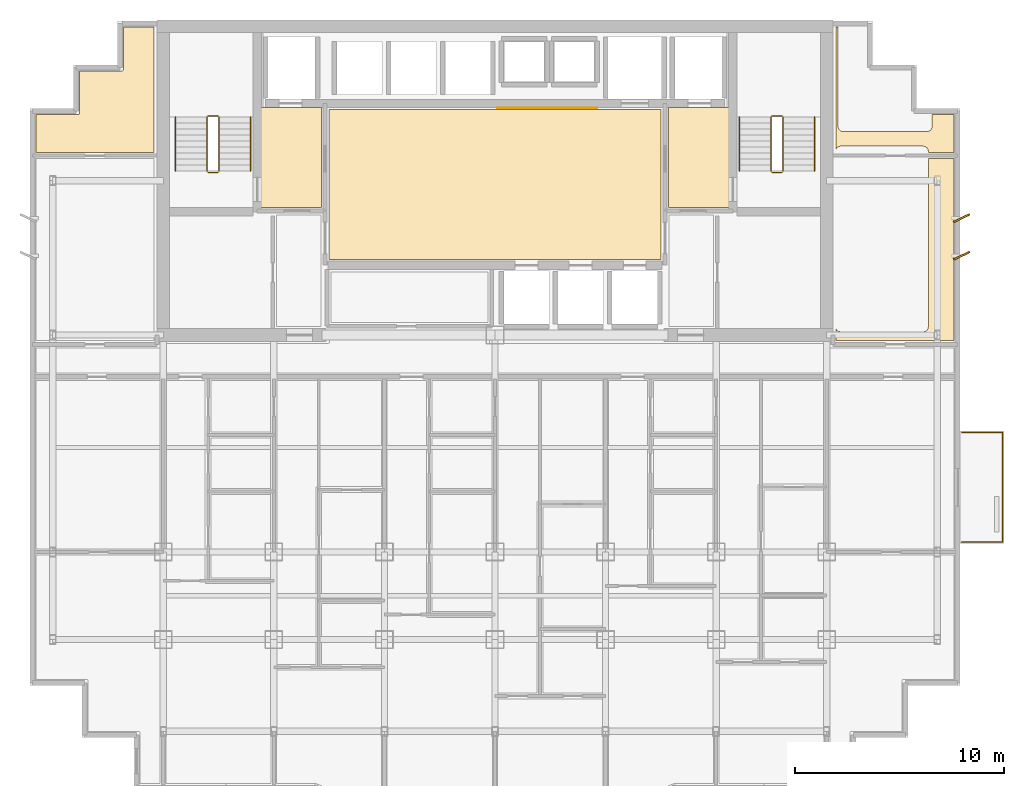
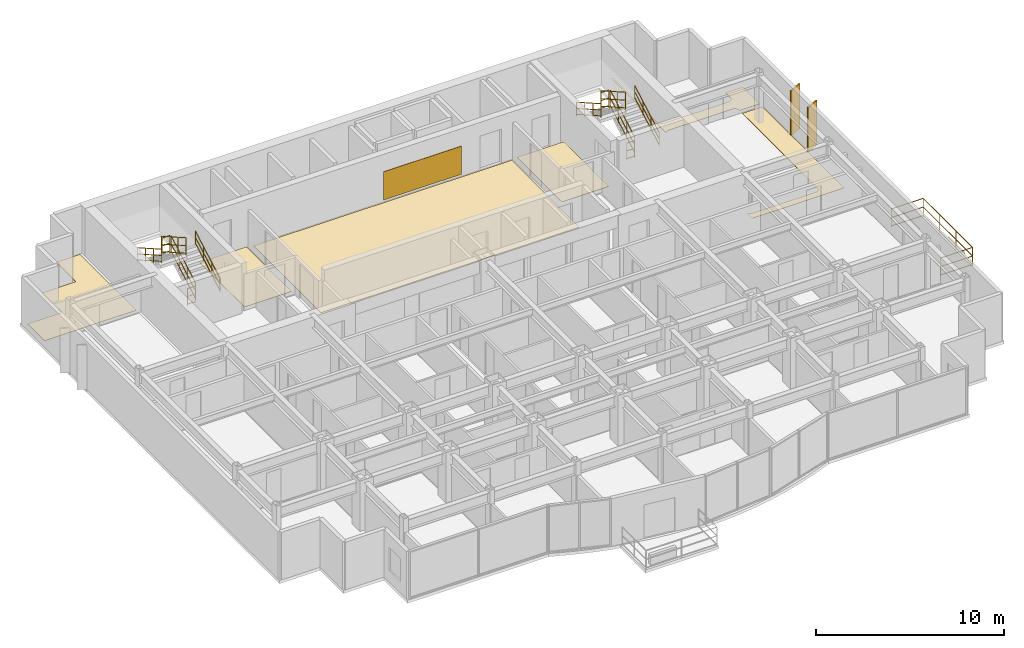
# One storey, part 11 of 11: 13 railings, 7 coverings, 2 shading devices.
"""IFC4 building model written with IfcOpenShell, lengths in metres."""

from ifc_helpers import new_model, si_unit, direction, frame, origin, origin_2d, place, context, subcontext, project, spatial, polyline, rectangle, circle, outline, extrude, source, transform, mapped, material, layer, layer_set, type_object, element, save


model = new_model("IFC4")

# Units and contexts
model_context = context("Model", 3, precision=1e-05, world=origin(), true_north=direction((0.0, 1.0)))
body_context = subcontext(model_context, "Body", "Model", "MODEL_VIEW")
ifc_project = project(units=[si_unit("LENGTHUNIT", "METRE"), si_unit("AREAUNIT", "SQUARE_METRE"), si_unit("VOLUMEUNIT", "CUBIC_METRE"), si_unit("PLANEANGLEUNIT", "RADIAN"), si_unit("MASSUNIT", "GRAM", prefix="KILO")], contexts=[model_context])

# Site, building, storey
site_placement = place(None, origin())
site = spatial("IfcSite", under=ifc_project, at=site_placement, CompositionType="ELEMENT")
building_placement = place(site_placement, origin())
building = spatial("IfcBuilding", under=site, at=building_placement, Name="Qianlan Lanfeng Residences", CompositionType="ELEMENT")
storey_placement = place(building_placement, frame((0.0, 0.0, 165.60009765625)))
storey = spatial("IfcBuildingStorey", under=building, at=storey_placement, Name="L45", CompositionType="ELEMENT", Elevation=165.60009765625)

# Coverings
ifc_material_1 = material(Name="Anodised Bronze Feature Wall Cladding")
ifc_layer_1 = layer(ifc_material_1, 0.02490234375)
ifc_layer_set_1 = layer_set([ifc_layer_1], Name="Anodised Bronze Feature Wall Cladding")
covering_type_1 = type_object("IfcCoveringType", Name="CLD-BRZ-25", PredefinedType="CLADDING", material=ifc_layer_set_1)
covering_1_placement = place(storey_placement, frame((0.0, 0.0, 0.14990234375)))
element("IfcCovering", 1, at=covering_1_placement, inside=storey, type_object=covering_type_1, Name="L45 Lift Lobby Bronze Feature Cladding", PredefinedType="CLADDING", context=body_context, shape_type="SweptSolid", body=[
    extrude(outline(polyline([(26.60009765625, 36.074951171875), (31.39990234375, 36.074951171875), (31.39990234375, 36.10009765625), (26.60009765625, 36.10009765625), (26.60009765625, 36.074951171875)])), origin(), (0.0, 0.0, 1.0), 1.830078125),
])
ifc_material_2 = material(Name="Honed Taitung Granite Stone Flooring", Category="masonry")
ifc_layer_2 = layer(ifc_material_2, 0.030029296875)
ifc_layer_set_2 = layer_set([ifc_layer_2], Name="Honed Taitung Granite Stone Flooring")
covering_type_2 = type_object("IfcCoveringType", Name="FLR-STN-30", PredefinedType="FLOORING", material=ifc_layer_set_2)
covering_2_placement = place(storey_placement, origin())
element("IfcCovering", 2, at=covering_2_placement, inside=storey, type_object=covering_type_2, Name="L45 Firefighting Lift Lobby Floor Finish", PredefinedType="FLOORING", context=body_context, shape_type="SweptSolid", body=[
    extrude(outline(polyline([(15.2900390625, 31.320068359375), (18.179931640625, 31.320068359375), (18.179931640625, 36.110107421875), (15.2900390625, 36.110107421875), (15.2900390625, 31.320068359375)])), origin(), (0.0, 0.0, 1.0), 0.02978515625),
])
covering_3_placement = place(storey_placement, origin())
element("IfcCovering", 3, at=covering_3_placement, inside=storey, type_object=covering_type_2, Name="L45 Firefighting Lift Lobby Floor Finish", PredefinedType="FLOORING", context=body_context, shape_type="SweptSolid", body=[
    extrude(outline(polyline([(34.820068359375, 31.320068359375), (37.7099609375, 31.320068359375), (37.7099609375, 36.110107421875), (34.820068359375, 36.110107421875), (34.820068359375, 31.320068359375)])), origin(), (0.0, 0.0, 1.0), 0.02978515625),
])
covering_4_placement = place(storey_placement, origin())
element("IfcCovering", 4, at=covering_4_placement, inside=storey, type_object=covering_type_2, Name="L45 Lift Lobby Floor Finish", PredefinedType="FLOORING", context=body_context, shape_type="SweptSolid", body=[
    extrude(outline(polyline([(18.550048828125, 28.820068359375), (34.449951171875, 28.820068359375), (34.449951171875, 36.010009765625), (18.550048828125, 36.010009765625), (18.550048828125, 28.820068359375)])), origin(), (0.0, 0.0, 1.0), 0.02978515625),
])
ifc_material_3 = material(Name="Engineered Smoked Oak Timber Flooring", Category="wood")
ifc_layer_3 = layer(ifc_material_3, 0.02197265625)
ifc_layer_set_3 = layer_set([ifc_layer_3], Name="Engineered Smoked Oak Timber Flooring")
covering_type_3 = type_object("IfcCoveringType", Name="FLR-TIM-22", PredefinedType="FLOORING", material=ifc_layer_set_3)
covering_5_placement = place(storey_placement, origin())
element("IfcCovering", 5, at=covering_5_placement, inside=storey, type_object=covering_type_3, Name="L45 Resident Lounge Floor Finish", PredefinedType="FLOORING", context=body_context, shape_type="SweptSolid", body=[
    extrude(outline(polyline([(4.489990234375, 33.949951171875), (10.14990234375, 33.949951171875), (10.14990234375, 39.9599609375), (8.68994140625, 39.9599609375), (8.68994140625, 37.929931640625), (8.68994140625, 37.923095703125), (8.68896484375, 37.916015625), (8.68701171875, 37.909912109375), (8.68505859375, 37.903076171875), (8.681884765625, 37.89697265625), (8.677978515625, 37.89111328125), (8.674072265625, 37.885986328125), (8.6689453125, 37.881103515625), (8.6640625, 37.8759765625), (8.658935546875, 37.8720703125), (8.653076171875, 37.867919921875), (8.64697265625, 37.864990234375), (8.639892578125, 37.863037109375), (8.634033203125, 37.861083984375), (8.626953125, 37.860107421875), (8.6201171875, 37.860107421875), (6.590087890625, 37.860107421875), (6.590087890625, 35.830078125), (6.590087890625, 35.822998046875), (6.589111328125, 35.81591796875), (6.5869140625, 35.81005859375), (6.5849609375, 35.802978515625), (6.58203125, 35.797119140625), (6.577880859375, 35.791015625), (6.573974609375, 35.785888671875), (6.569091796875, 35.781005859375), (6.56396484375, 35.77587890625), (6.55908203125, 35.77197265625), (6.552978515625, 35.76806640625), (6.547119140625, 35.764892578125), (6.5400390625, 35.762939453125), (6.533935546875, 35.760986328125), (6.527099609375, 35.760009765625), (6.52001953125, 35.760009765625), (4.489990234375, 35.760009765625), (4.489990234375, 33.949951171875)])), origin(), (0.0, 0.0, 1.0), 0.02197265625),
])
covering_6_placement = place(storey_placement, origin())
element("IfcCovering", 6, at=covering_6_placement, inside=storey, type_object=covering_type_3, Name="L45 Gallery Salon Floor Finish", PredefinedType="FLOORING", context=body_context, shape_type="SweptSolid", body=[
    extrude(outline(polyline([(48.510009765625, 33.64990234375), (47.27001953125, 33.64990234375), (47.27001953125, 25.60009765625), (47.26904296875, 25.574951171875), (47.264892578125, 25.551025390625), (47.259033203125, 25.527099609375), (47.2509765625, 25.50390625), (47.239990234375, 25.48193359375), (47.22802734375, 25.4609375), (47.212890625, 25.44091796875), (47.197021484375, 25.423095703125), (47.178955078125, 25.406982421875), (47.158935546875, 25.39208984375), (47.137939453125, 25.3798828125), (47.115966796875, 25.368896484375), (47.093017578125, 25.361083984375), (47.069091796875, 25.35498046875), (47.044921875, 25.35107421875), (47.02001953125, 25.35009765625), (43.080078125, 25.35009765625), (43.054931640625, 25.35107421875), (43.031005859375, 25.35498046875), (43.007080078125, 25.361083984375), (42.98388671875, 25.368896484375), (42.9619140625, 25.3798828125), (42.94091796875, 25.39208984375), (42.9208984375, 25.406982421875), (42.903076171875, 25.423095703125), (42.886962890625, 25.44091796875), (42.8720703125, 25.4609375), (42.860107421875, 25.48193359375), (42.85009765625, 25.501953125), (42.85009765625, 24.929931640625), (48.510009765625, 24.929931640625), (48.510009765625, 33.64990234375)])), origin(), (0.0, 0.0, 1.0), 0.02197265625),
])
covering_7_placement = place(storey_placement, origin())
element("IfcCovering", 7, at=covering_7_placement, inside=storey, type_object=covering_type_3, Name="L45 Resident Lounge Floor Finish", PredefinedType="FLOORING", context=body_context, shape_type="SweptSolid", body=[
    extrude(outline(polyline([(42.85009765625, 34.097900390625), (42.860107421875, 34.117919921875), (42.8720703125, 34.138916015625), (42.886962890625, 34.158935546875), (42.903076171875, 34.177001953125), (42.9208984375, 34.193115234375), (42.94091796875, 34.2080078125), (42.9619140625, 34.219970703125), (42.98388671875, 34.23095703125), (43.007080078125, 34.239013671875), (43.031005859375, 34.2451171875), (43.054931640625, 34.2490234375), (43.080078125, 34.25), (47.02001953125, 34.25), (47.044921875, 34.2490234375), (47.069091796875, 34.2451171875), (47.093017578125, 34.239013671875), (47.115966796875, 34.23095703125), (47.137939453125, 34.219970703125), (47.158935546875, 34.2080078125), (47.178955078125, 34.193115234375), (47.197021484375, 34.177001953125), (47.212890625, 34.158935546875), (47.22802734375, 34.138916015625), (47.239990234375, 34.117919921875), (47.2509765625, 34.095947265625), (47.259033203125, 34.072998046875), (47.264892578125, 34.049072265625), (47.26904296875, 34.02490234375), (47.27001953125, 34.0), (47.27001953125, 33.949951171875), (48.510009765625, 33.949951171875), (48.510009765625, 35.760009765625), (47.449951171875, 35.760009765625), (47.449951171875, 35.199951171875), (47.448974609375, 35.175048828125), (47.445068359375, 35.15087890625), (47.43896484375, 35.126953125), (47.430908203125, 35.10400390625), (47.419921875, 35.08203125), (47.407958984375, 35.06103515625), (47.39306640625, 35.041015625), (47.376953125, 35.02294921875), (47.35888671875, 35.007080078125), (47.339111328125, 34.991943359375), (47.318115234375, 34.97998046875), (47.2958984375, 34.968994140625), (47.27294921875, 34.9609375), (47.2490234375, 34.955078125), (47.22509765625, 34.950927734375), (47.199951171875, 34.949951171875), (43.199951171875, 34.949951171875), (43.175048828125, 34.950927734375), (43.15087890625, 34.955078125), (43.126953125, 34.9609375), (43.10400390625, 34.968994140625), (43.08203125, 34.97998046875), (43.06103515625, 34.991943359375), (43.041015625, 35.007080078125), (43.02294921875, 35.02294921875), (43.007080078125, 35.041015625), (42.991943359375, 35.06103515625), (42.97998046875, 35.08203125), (42.968994140625, 35.10400390625), (42.9609375, 35.126953125), (42.955078125, 35.15087890625), (42.950927734375, 35.175048828125), (42.949951171875, 35.199951171875), (42.949951171875, 39.9599609375), (42.85009765625, 39.9599609375), (42.85009765625, 34.097900390625)])), origin(), (0.0, 0.0, 1.0), 0.02197265625),
])

# Railings
ifc_material_4 = material(Name="Anodised Bronze Aluminium and Laminated Glass Guard Balustrade", Category="aluminium")
railing_type_1 = type_object("IfcRailingType", Name="GR-EXT-1220", PredefinedType="BALUSTRADE", material=ifc_material_4)
railing_1_placement = place(storey_placement, frame((48.8701171875, 20.530029296875, 0.0)))
element("IfcRailing", 8, at=railing_1_placement, inside=storey, type_object=railing_type_1, Name="L45 Terrace Safety Guard GR-L45-EB-S", PredefinedType="BALUSTRADE", context=body_context, shape_type="SweptSolid", body=[
    extrude(circle(Radius=0.02490234375, at=origin_2d()), frame((0.0, 0.0, 0.0849609375), z_axis=(1.0, 0.0, 0.0), x_axis=(0.0, 1.0, 0.0)), (0.0, 0.0, 1.0), 1.9599609375),
    extrude(circle(Radius=0.02490234375, at=origin_2d()), frame((0.0, 0.0, 0.63427734375), z_axis=(1.0, 0.0, 0.0), x_axis=(0.0, 1.0, 0.0)), (0.0, 0.0, 1.0), 1.9599609375),
    extrude(circle(Radius=0.02490234375, at=origin_2d()), frame((0.0, 0.0, 1.19482421875), z_axis=(1.0, 0.0, 0.0), x_axis=(0.0, 1.0, 0.0)), (0.0, 0.0, 1.0), 1.9599609375),
    extrude(circle(Radius=0.02490234375, at=origin_2d()), frame((1.9599609375, 0.0, 0.0849609375), z_axis=(0.0, -1.0, 0.0), x_axis=(1.0, 0.0, 0.0)), (0.0, 0.0, 1.0), 5.260009765625),
    extrude(circle(Radius=0.02490234375, at=origin_2d()), frame((1.9599609375, 0.0, 0.63427734375), z_axis=(0.0, -1.0, 0.0), x_axis=(1.0, 0.0, 0.0)), (0.0, 0.0, 1.0), 5.260009765625),
    extrude(circle(Radius=0.02490234375, at=origin_2d()), frame((1.9599609375, 0.0, 1.19482421875), z_axis=(0.0, -1.0, 0.0), x_axis=(1.0, 0.0, 0.0)), (0.0, 0.0, 1.0), 5.260009765625),
    extrude(circle(Radius=0.02490234375, at=origin_2d()), frame((1.9599609375, -5.260009765625, 0.0849609375), z_axis=(-1.0, 0.0, 0.0), x_axis=(0.0, -1.0, 0.0)), (0.0, 0.0, 1.0), 1.9599609375),
    extrude(circle(Radius=0.02490234375, at=origin_2d()), frame((1.9599609375, -5.260009765625, 0.63427734375), z_axis=(-1.0, 0.0, 0.0), x_axis=(0.0, -1.0, 0.0)), (0.0, 0.0, 1.0), 1.9599609375),
    extrude(circle(Radius=0.02490234375, at=origin_2d()), frame((1.9599609375, -5.260009765625, 1.19482421875), z_axis=(-1.0, 0.0, 0.0), x_axis=(0.0, -1.0, 0.0)), (0.0, 0.0, 1.0), 1.9599609375),
    extrude(circle(Radius=0.02099609375, at=origin_2d()), origin(), (0.0, 0.0, 1.0), 1.169921875),
    extrude(circle(Radius=0.02099609375, at=origin_2d()), frame((1.9599609375, 0.0, 0.0)), (0.0, 0.0, 1.0), 1.169921875),
    extrude(circle(Radius=0.02099609375, at=origin_2d()), frame((1.9599609375, -1.75341796875, 0.0)), (0.0, 0.0, 1.0), 1.169921875),
    extrude(circle(Radius=0.02099609375, at=origin_2d()), frame((1.9599609375, -3.506591796875, 0.0)), (0.0, 0.0, 1.0), 1.169921875),
    extrude(circle(Radius=0.02099609375, at=origin_2d()), frame((1.9599609375, -5.260009765625, 0.0)), (0.0, 0.0, 1.0), 1.169921875),
    extrude(circle(Radius=0.02099609375, at=origin_2d()), frame((0.0, -5.260009765625, 0.0)), (0.0, 0.0, 1.0), 1.169921875),
])
ifc_material_5 = material(Name="Painted Galvanised Steel Guardrail", Category="steel")
railing_type_2 = type_object("IfcRailingType", Name="GR-ST-1120", PredefinedType="GUARDRAIL", material=ifc_material_5)
railing_2_placement = place(storey_placement, frame((13.27001953125, 33.050048828125, 0.164794921875)))
element("IfcRailing", 9, at=railing_2_placement, inside=storey, type_object=railing_type_2, Name="L45 ST-1 stair guard 1", PredefinedType="GUARDRAIL", context=body_context, shape_type="SweptSolid", body=[
    extrude(circle(Radius=0.02392578125, at=origin_2d()), frame((0.0, 0.0, 0.083984375), z_axis=(0.0, 0.869137319866, 0.494570843475), x_axis=(-1.0, 0.0, 0.0)), (0.0, 0.0, 1.0), 3.0029296875),
    extrude(circle(Radius=0.02392578125, at=origin_2d()), frame((0.0, 0.0, 0.58251953125), z_axis=(0.0, 0.869137319866, 0.494570843475), x_axis=(-1.0, 0.0, 0.0)), (0.0, 0.0, 1.0), 3.0029296875),
    extrude(circle(Radius=0.02392578125, at=origin_2d()), frame((0.0, 0.0, 1.09619140625), z_axis=(0.0, 0.869137319866, 0.494570843475), x_axis=(-1.0, 0.0, 0.0)), (0.0, 0.0, 1.0), 3.0029296875),
    extrude(circle(Radius=0.02099609375, at=origin_2d()), origin(), (0.0, 0.0, 1.0), 1.072021484375),
    extrude(circle(Radius=0.02099609375, at=origin_2d()), frame((0.0, 0.869873046875, 0.4951171875)), (0.0, 0.0, 1.0), 1.072021484375),
    extrude(circle(Radius=0.02099609375, at=origin_2d()), frame((0.0, 1.739990234375, 0.989990234375)), (0.0, 0.0, 1.0), 1.072021484375),
    extrude(circle(Radius=0.02099609375, at=origin_2d()), frame((0.0, 2.60986328125, 1.485107421875)), (0.0, 0.0, 1.0), 1.072021484375),
])
railing_3_placement = place(storey_placement, frame((13.219970703125, 35.7099609375, 1.64990234375)))
element("IfcRailing", 10, at=railing_3_placement, inside=storey, type_object=railing_type_2, Name="L45 ST-1 stair guard 2", PredefinedType="GUARDRAIL", context=body_context, shape_type="SweptSolid", body=[
    extrude(circle(Radius=0.02392578125, at=origin_2d()), frame((0.0, 0.0, 0.083984375), z_axis=(-1.0, 0.0, 0.0), x_axis=(0.0, -1.0, 0.0)), (0.0, 0.0, 1.0), 0.47998046875),
    extrude(circle(Radius=0.02392578125, at=origin_2d()), frame((0.0, 0.0, 0.58251953125), z_axis=(-1.0, 0.0, 0.0), x_axis=(0.0, -1.0, 0.0)), (0.0, 0.0, 1.0), 0.47998046875),
    extrude(circle(Radius=0.02392578125, at=origin_2d()), frame((0.0, 0.0, 1.09619140625), z_axis=(-1.0, 0.0, 0.0), x_axis=(0.0, -1.0, 0.0)), (0.0, 0.0, 1.0), 0.47998046875),
    extrude(circle(Radius=0.02099609375, at=origin_2d()), origin(), (0.0, 0.0, 1.0), 1.072021484375),
    extrude(circle(Radius=0.02099609375, at=origin_2d()), frame((-0.47998046875, 0.0, 0.0)), (0.0, 0.0, 1.0), 1.072021484375),
])
railing_4_placement = place(storey_placement, frame((12.68994140625, 35.659912109375, 1.81494140625)))
element("IfcRailing", 11, at=railing_4_placement, inside=storey, type_object=railing_type_2, Name="L45 ST-1 stair guard 3", PredefinedType="GUARDRAIL", context=body_context, shape_type="SweptSolid", body=[
    extrude(circle(Radius=0.02392578125, at=origin_2d()), frame((0.0, 0.0, 0.083984375), z_axis=(0.0, -0.869172267526, 0.494509422927), x_axis=(1.0, 0.0, 0.0)), (0.0, 0.0, 1.0), 3.002685546875),
    extrude(circle(Radius=0.02392578125, at=origin_2d()), frame((0.0, 0.0, 0.58251953125), z_axis=(0.0, -0.869172267526, 0.494509422927), x_axis=(1.0, 0.0, 0.0)), (0.0, 0.0, 1.0), 3.002685546875),
    extrude(circle(Radius=0.02392578125, at=origin_2d()), frame((0.0, 0.0, 1.09619140625), z_axis=(0.0, -0.869172267526, 0.494509422927), x_axis=(1.0, 0.0, 0.0)), (0.0, 0.0, 1.0), 3.002685546875),
    extrude(circle(Radius=0.02099609375, at=origin_2d()), origin(), (0.0, 0.0, 1.0), 1.072021484375),
    extrude(circle(Radius=0.02099609375, at=origin_2d()), frame((0.0, -0.869873046875, 0.494873046875)), (0.0, 0.0, 1.0), 1.072021484375),
    extrude(circle(Radius=0.02099609375, at=origin_2d()), frame((0.0, -1.739990234375, 0.989990234375)), (0.0, 0.0, 1.0), 1.072021484375),
    extrude(circle(Radius=0.02099609375, at=origin_2d()), frame((0.0, -2.60986328125, 1.48486328125)), (0.0, 0.0, 1.0), 1.072021484375),
])
railing_5_placement = place(storey_placement, frame((13.219970703125, 33.0, 0.0)))
element("IfcRailing", 12, at=railing_5_placement, inside=storey, type_object=railing_type_2, Name="L45 ST-1 stair guard 4", PredefinedType="GUARDRAIL", context=body_context, shape_type="SweptSolid", body=[
    extrude(circle(Radius=0.02392578125, at=origin_2d()), frame((0.0, 0.0, 0.083984375), z_axis=(-1.0, 0.0, 0.0), x_axis=(0.0, -1.0, 0.0)), (0.0, 0.0, 1.0), 0.47998046875),
    extrude(circle(Radius=0.02392578125, at=origin_2d()), frame((0.0, 0.0, 0.58251953125), z_axis=(-1.0, 0.0, 0.0), x_axis=(0.0, -1.0, 0.0)), (0.0, 0.0, 1.0), 0.47998046875),
    extrude(circle(Radius=0.02392578125, at=origin_2d()), frame((0.0, 0.0, 1.09619140625), z_axis=(-1.0, 0.0, 0.0), x_axis=(0.0, -1.0, 0.0)), (0.0, 0.0, 1.0), 0.47998046875),
    extrude(circle(Radius=0.02099609375, at=origin_2d()), origin(), (0.0, 0.0, 1.0), 1.072021484375),
    extrude(circle(Radius=0.02099609375, at=origin_2d()), frame((-0.47998046875, 0.0, 0.0)), (0.0, 0.0, 1.0), 1.072021484375),
])
railing_6_placement = place(storey_placement, frame((40.31005859375, 33.050048828125, 0.164794921875)))
element("IfcRailing", 13, at=railing_6_placement, inside=storey, type_object=railing_type_2, Name="L45 ST-2 stair guard 1", PredefinedType="GUARDRAIL", context=body_context, shape_type="SweptSolid", body=[
    extrude(circle(Radius=0.02392578125, at=origin_2d()), frame((0.0, 0.0, 0.083984375), z_axis=(0.0, 0.869137319866, 0.494570843475), x_axis=(-1.0, 0.0, 0.0)), (0.0, 0.0, 1.0), 3.0029296875),
    extrude(circle(Radius=0.02392578125, at=origin_2d()), frame((0.0, 0.0, 0.58251953125), z_axis=(0.0, 0.869137319866, 0.494570843475), x_axis=(-1.0, 0.0, 0.0)), (0.0, 0.0, 1.0), 3.0029296875),
    extrude(circle(Radius=0.02392578125, at=origin_2d()), frame((0.0, 0.0, 1.09619140625), z_axis=(0.0, 0.869137319866, 0.494570843475), x_axis=(-1.0, 0.0, 0.0)), (0.0, 0.0, 1.0), 3.0029296875),
    extrude(circle(Radius=0.02099609375, at=origin_2d()), origin(), (0.0, 0.0, 1.0), 1.072021484375),
    extrude(circle(Radius=0.02099609375, at=origin_2d()), frame((0.0, 0.869873046875, 0.4951171875)), (0.0, 0.0, 1.0), 1.072021484375),
    extrude(circle(Radius=0.02099609375, at=origin_2d()), frame((0.0, 1.739990234375, 0.989990234375)), (0.0, 0.0, 1.0), 1.072021484375),
    extrude(circle(Radius=0.02099609375, at=origin_2d()), frame((0.0, 2.60986328125, 1.485107421875)), (0.0, 0.0, 1.0), 1.072021484375),
])
railing_7_placement = place(storey_placement, frame((40.260009765625, 35.7099609375, 1.64990234375)))
element("IfcRailing", 14, at=railing_7_placement, inside=storey, type_object=railing_type_2, Name="L45 ST-2 stair guard 2", PredefinedType="GUARDRAIL", context=body_context, shape_type="SweptSolid", body=[
    extrude(circle(Radius=0.02392578125, at=origin_2d()), frame((0.0, 0.0, 0.083984375), z_axis=(-1.0, 0.0, 0.0), x_axis=(0.0, -1.0, 0.0)), (0.0, 0.0, 1.0), 0.47998046875),
    extrude(circle(Radius=0.02392578125, at=origin_2d()), frame((0.0, 0.0, 0.58251953125), z_axis=(-1.0, 0.0, 0.0), x_axis=(0.0, -1.0, 0.0)), (0.0, 0.0, 1.0), 0.47998046875),
    extrude(circle(Radius=0.02392578125, at=origin_2d()), frame((0.0, 0.0, 1.09619140625), z_axis=(-1.0, 0.0, 0.0), x_axis=(0.0, -1.0, 0.0)), (0.0, 0.0, 1.0), 0.47998046875),
    extrude(circle(Radius=0.02099609375, at=origin_2d()), origin(), (0.0, 0.0, 1.0), 1.072021484375),
    extrude(circle(Radius=0.02099609375, at=origin_2d()), frame((-0.47998046875, 0.0, 0.0)), (0.0, 0.0, 1.0), 1.072021484375),
])
railing_8_placement = place(storey_placement, frame((39.72998046875, 35.659912109375, 1.81494140625)))
element("IfcRailing", 15, at=railing_8_placement, inside=storey, type_object=railing_type_2, Name="L45 ST-2 stair guard 3", PredefinedType="GUARDRAIL", context=body_context, shape_type="SweptSolid", body=[
    extrude(circle(Radius=0.02392578125, at=origin_2d()), frame((0.0, 0.0, 0.083984375), z_axis=(0.0, -0.869172267526, 0.494509422927), x_axis=(1.0, 0.0, 0.0)), (0.0, 0.0, 1.0), 3.002685546875),
    extrude(circle(Radius=0.02392578125, at=origin_2d()), frame((0.0, 0.0, 0.58251953125), z_axis=(0.0, -0.869172267526, 0.494509422927), x_axis=(1.0, 0.0, 0.0)), (0.0, 0.0, 1.0), 3.002685546875),
    extrude(circle(Radius=0.02392578125, at=origin_2d()), frame((0.0, 0.0, 1.09619140625), z_axis=(0.0, -0.869172267526, 0.494509422927), x_axis=(1.0, 0.0, 0.0)), (0.0, 0.0, 1.0), 3.002685546875),
    extrude(circle(Radius=0.02099609375, at=origin_2d()), origin(), (0.0, 0.0, 1.0), 1.072021484375),
    extrude(circle(Radius=0.02099609375, at=origin_2d()), frame((0.0, -0.869873046875, 0.494873046875)), (0.0, 0.0, 1.0), 1.072021484375),
    extrude(circle(Radius=0.02099609375, at=origin_2d()), frame((0.0, -1.739990234375, 0.989990234375)), (0.0, 0.0, 1.0), 1.072021484375),
    extrude(circle(Radius=0.02099609375, at=origin_2d()), frame((0.0, -2.60986328125, 1.48486328125)), (0.0, 0.0, 1.0), 1.072021484375),
])
railing_9_placement = place(storey_placement, frame((40.260009765625, 33.0, 0.0)))
element("IfcRailing", 16, at=railing_9_placement, inside=storey, type_object=railing_type_2, Name="L45 ST-2 stair guard 4", PredefinedType="GUARDRAIL", context=body_context, shape_type="SweptSolid", body=[
    extrude(circle(Radius=0.02392578125, at=origin_2d()), frame((0.0, 0.0, 0.083984375), z_axis=(-1.0, 0.0, 0.0), x_axis=(0.0, -1.0, 0.0)), (0.0, 0.0, 1.0), 0.47998046875),
    extrude(circle(Radius=0.02392578125, at=origin_2d()), frame((0.0, 0.0, 0.58251953125), z_axis=(-1.0, 0.0, 0.0), x_axis=(0.0, -1.0, 0.0)), (0.0, 0.0, 1.0), 0.47998046875),
    extrude(circle(Radius=0.02392578125, at=origin_2d()), frame((0.0, 0.0, 1.09619140625), z_axis=(-1.0, 0.0, 0.0), x_axis=(0.0, -1.0, 0.0)), (0.0, 0.0, 1.0), 0.47998046875),
    extrude(circle(Radius=0.02099609375, at=origin_2d()), origin(), (0.0, 0.0, 1.0), 1.072021484375),
    extrude(circle(Radius=0.02099609375, at=origin_2d()), frame((-0.47998046875, 0.0, 0.0)), (0.0, 0.0, 1.0), 1.072021484375),
])
ifc_material_6 = material(Name="Brushed Stainless Steel Handrail", Category="steel")
railing_type_3 = type_object("IfcRailingType", Name="HR-ST-920", PredefinedType="HANDRAIL", material=ifc_material_6)
railing_10_placement = place(storey_placement, frame((14.77001953125, 33.050048828125, 0.164794921875)))
element("IfcRailing", 17, at=railing_10_placement, inside=storey, type_object=railing_type_3, Name="L45 ST-1 stair handrail 1", PredefinedType="HANDRAIL", context=body_context, shape_type="SweptSolid", body=[
    extrude(circle(Radius=0.02392578125, at=origin_2d()), frame((0.0, 0.0, 0.083984375), z_axis=(0.0, 0.869137319866, 0.494570843475), x_axis=(-1.0, 0.0, 0.0)), (0.0, 0.0, 1.0), 3.0029296875),
    extrude(circle(Radius=0.02392578125, at=origin_2d()), frame((0.0, 0.0, 0.468017578125), z_axis=(0.0, 0.869137319866, 0.494570843475), x_axis=(-1.0, 0.0, 0.0)), (0.0, 0.0, 1.0), 3.0029296875),
    extrude(circle(Radius=0.02392578125, at=origin_2d()), frame((0.0, 0.0, 0.8759765625), z_axis=(0.0, 0.869137319866, 0.494570843475), x_axis=(-1.0, 0.0, 0.0)), (0.0, 0.0, 1.0), 3.0029296875),
    extrude(circle(Radius=0.02099609375, at=origin_2d()), origin(), (0.0, 0.0, 1.0), 0.851806640625),
    extrude(circle(Radius=0.02099609375, at=origin_2d()), frame((0.0, 0.869873046875, 0.4951171875)), (0.0, 0.0, 1.0), 0.851806640625),
    extrude(circle(Radius=0.02099609375, at=origin_2d()), frame((0.0, 1.739990234375, 0.989990234375)), (0.0, 0.0, 1.0), 0.851806640625),
    extrude(circle(Radius=0.02099609375, at=origin_2d()), frame((0.0, 2.60986328125, 1.485107421875)), (0.0, 0.0, 1.0), 0.851806640625),
])
railing_11_placement = place(storey_placement, frame((11.18994140625, 35.659912109375, 1.81494140625)))
element("IfcRailing", 18, at=railing_11_placement, inside=storey, type_object=railing_type_3, Name="L45 ST-1 stair handrail 2", PredefinedType="HANDRAIL", context=body_context, shape_type="SweptSolid", body=[
    extrude(circle(Radius=0.02392578125, at=origin_2d()), frame((0.0, 0.0, 0.083984375), z_axis=(0.0, -0.869172267526, 0.494509422927), x_axis=(1.0, 0.0, 0.0)), (0.0, 0.0, 1.0), 3.002685546875),
    extrude(circle(Radius=0.02392578125, at=origin_2d()), frame((0.0, 0.0, 0.468017578125), z_axis=(0.0, -0.869172267526, 0.494509422927), x_axis=(1.0, 0.0, 0.0)), (0.0, 0.0, 1.0), 3.002685546875),
    extrude(circle(Radius=0.02392578125, at=origin_2d()), frame((0.0, 0.0, 0.8759765625), z_axis=(0.0, -0.869172267526, 0.494509422927), x_axis=(1.0, 0.0, 0.0)), (0.0, 0.0, 1.0), 3.002685546875),
    extrude(circle(Radius=0.02099609375, at=origin_2d()), origin(), (0.0, 0.0, 1.0), 0.851806640625),
    extrude(circle(Radius=0.02099609375, at=origin_2d()), frame((0.0, -0.869873046875, 0.494873046875)), (0.0, 0.0, 1.0), 0.851806640625),
    extrude(circle(Radius=0.02099609375, at=origin_2d()), frame((0.0, -1.739990234375, 0.989990234375)), (0.0, 0.0, 1.0), 0.851806640625),
    extrude(circle(Radius=0.02099609375, at=origin_2d()), frame((0.0, -2.60986328125, 1.48486328125)), (0.0, 0.0, 1.0), 0.851806640625),
])
railing_12_placement = place(storey_placement, frame((41.81005859375, 33.050048828125, 0.164794921875)))
element("IfcRailing", 19, at=railing_12_placement, inside=storey, type_object=railing_type_3, Name="L45 ST-2 stair handrail 1", PredefinedType="HANDRAIL", context=body_context, shape_type="SweptSolid", body=[
    extrude(circle(Radius=0.02392578125, at=origin_2d()), frame((0.0, 0.0, 0.083984375), z_axis=(0.0, 0.869137319866, 0.494570843475), x_axis=(-1.0, 0.0, 0.0)), (0.0, 0.0, 1.0), 3.0029296875),
    extrude(circle(Radius=0.02392578125, at=origin_2d()), frame((0.0, 0.0, 0.468017578125), z_axis=(0.0, 0.869137319866, 0.494570843475), x_axis=(-1.0, 0.0, 0.0)), (0.0, 0.0, 1.0), 3.0029296875),
    extrude(circle(Radius=0.02392578125, at=origin_2d()), frame((0.0, 0.0, 0.8759765625), z_axis=(0.0, 0.869137319866, 0.494570843475), x_axis=(-1.0, 0.0, 0.0)), (0.0, 0.0, 1.0), 3.0029296875),
    extrude(circle(Radius=0.02099609375, at=origin_2d()), origin(), (0.0, 0.0, 1.0), 0.851806640625),
    extrude(circle(Radius=0.02099609375, at=origin_2d()), frame((0.0, 0.869873046875, 0.4951171875)), (0.0, 0.0, 1.0), 0.851806640625),
    extrude(circle(Radius=0.02099609375, at=origin_2d()), frame((0.0, 1.739990234375, 0.989990234375)), (0.0, 0.0, 1.0), 0.851806640625),
    extrude(circle(Radius=0.02099609375, at=origin_2d()), frame((0.0, 2.60986328125, 1.485107421875)), (0.0, 0.0, 1.0), 0.851806640625),
])
railing_13_placement = place(storey_placement, frame((38.22998046875, 35.659912109375, 1.81494140625)))
element("IfcRailing", 20, at=railing_13_placement, inside=storey, type_object=railing_type_3, Name="L45 ST-2 stair handrail 2", PredefinedType="HANDRAIL", context=body_context, shape_type="SweptSolid", body=[
    extrude(circle(Radius=0.02392578125, at=origin_2d()), frame((0.0, 0.0, 0.083984375), z_axis=(0.0, -0.869172267526, 0.494509422927), x_axis=(1.0, 0.0, 0.0)), (0.0, 0.0, 1.0), 3.002685546875),
    extrude(circle(Radius=0.02392578125, at=origin_2d()), frame((0.0, 0.0, 0.468017578125), z_axis=(0.0, -0.869172267526, 0.494509422927), x_axis=(1.0, 0.0, 0.0)), (0.0, 0.0, 1.0), 3.002685546875),
    extrude(circle(Radius=0.02392578125, at=origin_2d()), frame((0.0, 0.0, 0.8759765625), z_axis=(0.0, -0.869172267526, 0.494509422927), x_axis=(1.0, 0.0, 0.0)), (0.0, 0.0, 1.0), 3.002685546875),
    extrude(circle(Radius=0.02099609375, at=origin_2d()), origin(), (0.0, 0.0, 1.0), 0.851806640625),
    extrude(circle(Radius=0.02099609375, at=origin_2d()), frame((0.0, -0.869873046875, 0.494873046875)), (0.0, 0.0, 1.0), 0.851806640625),
    extrude(circle(Radius=0.02099609375, at=origin_2d()), frame((0.0, -1.739990234375, 0.989990234375)), (0.0, 0.0, 1.0), 0.851806640625),
    extrude(circle(Radius=0.02099609375, at=origin_2d()), frame((0.0, -2.60986328125, 1.48486328125)), (0.0, 0.0, 1.0), 0.851806640625),
])

# Shading devices
ifc_material_7 = material(Name="Anodised Bronze Aluminium Solar Fin", Category="aluminium")
shading_device_type = type_object("IfcShadingDeviceType", Name="FIN-BRZ-850", PredefinedType="SHUTTER", material=ifc_material_7)
shared_shape = source(origin(), body_context, "Body", "SweptSolid", [
    extrude(rectangle(XDim=0.85009765625, YDim=0.080078125, at=origin_2d()), origin(), (0.0, 0.0, 1.0), 2.89990234375),
])
for number, where, z_axis, x_axis, name in (
    (21, (48.8701171875, 29.0, 0.0), (0.0, 0.0, 1.0), (0.898794046299, 0.438371146789, 0.0), "L45 Raked Bronze Solar Fin E1"),
    (22, (48.8701171875, 30.800048828125, 0.0), (0.0, 0.0, 1.0), (0.898794046299, 0.438371146789, 0.0), "L45 Raked Bronze Solar Fin E2"),
):
    element("IfcShadingDevice", number, at=place(storey_placement, frame(where, z_axis=z_axis, x_axis=x_axis)), inside=storey, type_object=shading_device_type, Name=name, PredefinedType="SHUTTER", context=body_context, shape_type="MappedRepresentation", body=[
        mapped(shared_shape, transform((0.0, 0.0, 0.0), scale=1.0)),
    ])

save(model, "model.ifc")
